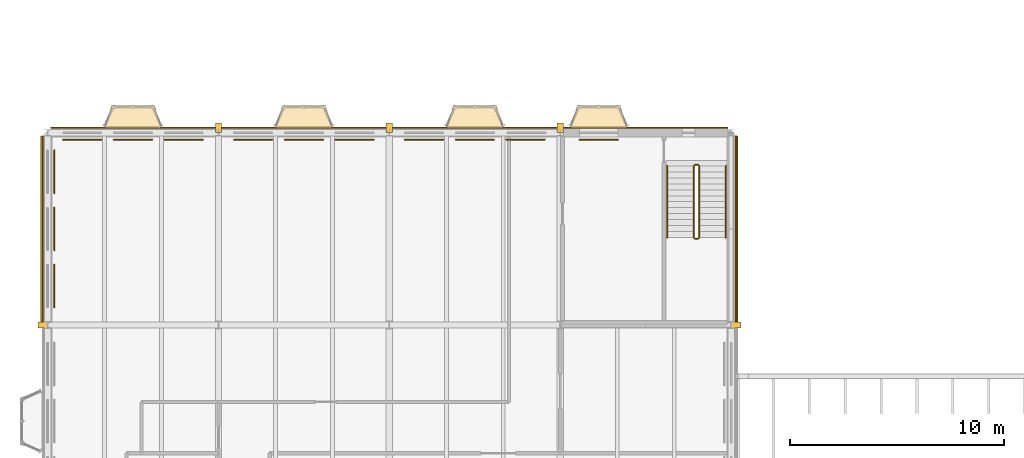
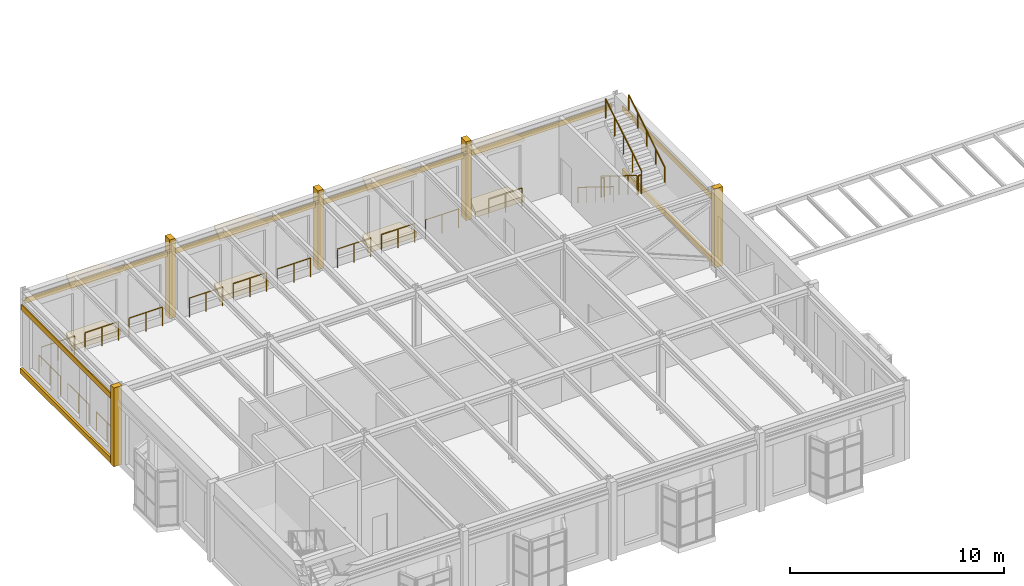
# One storey, part 143 of 153: 21 coverings, 19 railings.
"""IFC4 building model written with IfcOpenShell, lengths in metres."""

from ifc_helpers import new_model, si_unit, direction, frame, origin, origin_2d, place, context, subcontext, project, spatial, polyline, rectangle, circle, outline, extrude, material, layer, layer_set, type_object, element, save


model = new_model("IFC4")

# Units and contexts
model_context = context("Model", 3, precision=1e-05, world=origin(), true_north=direction((0.0, 1.0)))
body_context = subcontext(model_context, "Body", "Model", "MODEL_VIEW")
ifc_project = project(units=[si_unit("LENGTHUNIT", "METRE"), si_unit("AREAUNIT", "SQUARE_METRE"), si_unit("VOLUMEUNIT", "CUBIC_METRE"), si_unit("PLANEANGLEUNIT", "RADIAN"), si_unit("MASSUNIT", "GRAM", prefix="KILO")], contexts=[model_context])

# Site, building, storey
site_placement = place(None, origin())
site = spatial("IfcSite", under=ifc_project, at=site_placement, CompositionType="ELEMENT")
building_placement = place(site_placement, origin())
building = spatial("IfcBuilding", under=site, at=building_placement, Name="Kallimachos Central Library", CompositionType="ELEMENT")
storey_placement = place(building_placement, frame((0.0, 0.0, 5.39990234375)))
storey = spatial("IfcBuildingStorey", under=building, at=storey_placement, Name="L01", CompositionType="ELEMENT", Elevation=5.39990234375)

# Railings
ifc_material_1 = material(Name="Steel S355J2", Category="steel")
railing_type_1 = type_object("IfcRailingType", Name="Stair guard 1100", PredefinedType="GUARDRAIL", material=ifc_material_1)
railing_1_placement = place(storey_placement, frame((36.25, 112.449951171875, 0.173095703125)))
element("IfcRailing", 1, at=railing_1_placement, inside=storey, type_object=railing_type_1, Name="L01 ST6 stair guard 1", PredefinedType="GUARDRAIL", context=body_context, shape_type="SweptSolid", body=[
    extrude(circle(Radius=0.02392578125, at=origin_2d()), frame((0.0, 0.0, 1.076171875), z_axis=(0.0, -0.850606129759, 0.525803396734), x_axis=(1.0, 0.0, 0.0)), (0.0, 0.0, 1.0), 3.949951171875),
    extrude(circle(Radius=0.02099609375, at=origin_2d()), origin(), (0.0, 0.0, 1.0), 1.052001953125),
    extrude(circle(Radius=0.02099609375, at=origin_2d()), frame((0.0, -0.83984375, 0.519287109375)), (0.0, 0.0, 1.0), 1.052001953125),
    extrude(circle(Radius=0.02099609375, at=origin_2d()), frame((0.0, -1.679931640625, 1.03857421875)), (0.0, 0.0, 1.0), 1.052001953125),
    extrude(circle(Radius=0.02099609375, at=origin_2d()), frame((0.0, -2.52001953125, 1.5576171875)), (0.0, 0.0, 1.0), 1.052001953125),
    extrude(circle(Radius=0.02099609375, at=origin_2d()), frame((0.0, -3.35986328125, 2.076904296875)), (0.0, 0.0, 1.0), 1.052001953125),
])
railing_2_placement = place(storey_placement, frame((36.300048828125, 109.0400390625, 2.25)))
element("IfcRailing", 2, at=railing_2_placement, inside=storey, type_object=railing_type_1, Name="L01 ST6 stair guard 2", PredefinedType="GUARDRAIL", context=body_context, shape_type="SweptSolid", body=[
    extrude(circle(Radius=0.02392578125, at=origin_2d()), frame((0.0, 0.0, 1.076171875), z_axis=(1.0, 0.0, 0.0), x_axis=(0.0, 1.0, 0.0)), (0.0, 0.0, 1.0), 0.14990234375),
    extrude(circle(Radius=0.02099609375, at=origin_2d()), origin(), (0.0, 0.0, 1.0), 1.052001953125),
    extrude(circle(Radius=0.02099609375, at=origin_2d()), frame((0.14990234375, 0.0, 0.0)), (0.0, 0.0, 1.0), 1.052001953125),
])
railing_3_placement = place(storey_placement, frame((36.5, 109.090087890625, 2.423095703125)))
element("IfcRailing", 3, at=railing_3_placement, inside=storey, type_object=railing_type_1, Name="L01 ST6 stair guard 3", PredefinedType="GUARDRAIL", context=body_context, shape_type="SweptSolid", body=[
    extrude(circle(Radius=0.02392578125, at=origin_2d()), frame((0.0, 0.0, 1.076171875), z_axis=(0.0, 0.850606129759, 0.525803396734), x_axis=(-1.0, 0.0, 0.0)), (0.0, 0.0, 1.0), 3.949951171875),
    extrude(circle(Radius=0.02099609375, at=origin_2d()), origin(), (0.0, 0.0, 1.0), 1.052001953125),
    extrude(circle(Radius=0.02099609375, at=origin_2d()), frame((0.0, 0.83984375, 0.519287109375)), (0.0, 0.0, 1.0), 1.052001953125),
    extrude(circle(Radius=0.02099609375, at=origin_2d()), frame((0.0, 1.679931640625, 1.03857421875)), (0.0, 0.0, 1.0), 1.052001953125),
    extrude(circle(Radius=0.02099609375, at=origin_2d()), frame((0.0, 2.52001953125, 1.5576171875)), (0.0, 0.0, 1.0), 1.052001953125),
    extrude(circle(Radius=0.02099609375, at=origin_2d()), frame((0.0, 3.35986328125, 2.076904296875)), (0.0, 0.0, 1.0), 1.052001953125),
])
railing_4_placement = place(storey_placement, frame((36.300048828125, 112.5, 0.0)))
element("IfcRailing", 4, at=railing_4_placement, inside=storey, type_object=railing_type_1, Name="L01 ST6 stair guard 4", PredefinedType="GUARDRAIL", context=body_context, shape_type="SweptSolid", body=[
    extrude(circle(Radius=0.02392578125, at=origin_2d()), frame((0.0, 0.0, 1.076171875), z_axis=(1.0, 0.0, 0.0), x_axis=(0.0, 1.0, 0.0)), (0.0, 0.0, 1.0), 0.14990234375),
    extrude(circle(Radius=0.02099609375, at=origin_2d()), origin(), (0.0, 0.0, 1.0), 1.052001953125),
    extrude(circle(Radius=0.02099609375, at=origin_2d()), frame((0.14990234375, 0.0, 0.0)), (0.0, 0.0, 1.0), 1.052001953125),
])
ifc_material_2 = material(Name="Steel S355J2", Category="steel")
railing_type_2 = type_object("IfcRailingType", Name="Stair handrail 900", PredefinedType="HANDRAIL", material=ifc_material_2)
railing_5_placement = place(storey_placement, frame((35.0, 112.449951171875, 0.173095703125)))
element("IfcRailing", 5, at=railing_5_placement, inside=storey, type_object=railing_type_2, Name="L01 ST6 stair handrail 1", PredefinedType="HANDRAIL", context=body_context, shape_type="SweptSolid", body=[
    extrude(circle(Radius=0.02392578125, at=origin_2d()), frame((0.0, 0.0, 0.8759765625), z_axis=(0.0, -0.850606129759, 0.525803396734), x_axis=(1.0, 0.0, 0.0)), (0.0, 0.0, 1.0), 3.949951171875),
    extrude(circle(Radius=0.02099609375, at=origin_2d()), origin(), (0.0, 0.0, 1.0), 0.851806640625),
    extrude(circle(Radius=0.02099609375, at=origin_2d()), frame((0.0, -0.83984375, 0.519287109375)), (0.0, 0.0, 1.0), 0.851806640625),
    extrude(circle(Radius=0.02099609375, at=origin_2d()), frame((0.0, -1.679931640625, 1.03857421875)), (0.0, 0.0, 1.0), 0.851806640625),
    extrude(circle(Radius=0.02099609375, at=origin_2d()), frame((0.0, -2.52001953125, 1.5576171875)), (0.0, 0.0, 1.0), 0.851806640625),
    extrude(circle(Radius=0.02099609375, at=origin_2d()), frame((0.0, -3.35986328125, 2.076904296875)), (0.0, 0.0, 1.0), 0.851806640625),
])
railing_6_placement = place(storey_placement, frame((37.75, 109.090087890625, 2.423095703125)))
element("IfcRailing", 6, at=railing_6_placement, inside=storey, type_object=railing_type_2, Name="L01 ST6 stair handrail 2", PredefinedType="HANDRAIL", context=body_context, shape_type="SweptSolid", body=[
    extrude(circle(Radius=0.02392578125, at=origin_2d()), frame((0.0, 0.0, 0.8759765625), z_axis=(0.0, 0.850606129759, 0.525803396734), x_axis=(-1.0, 0.0, 0.0)), (0.0, 0.0, 1.0), 3.949951171875),
    extrude(circle(Radius=0.02099609375, at=origin_2d()), origin(), (0.0, 0.0, 1.0), 0.851806640625),
    extrude(circle(Radius=0.02099609375, at=origin_2d()), frame((0.0, 0.83984375, 0.519287109375)), (0.0, 0.0, 1.0), 0.851806640625),
    extrude(circle(Radius=0.02099609375, at=origin_2d()), frame((0.0, 1.679931640625, 1.03857421875)), (0.0, 0.0, 1.0), 0.851806640625),
    extrude(circle(Radius=0.02099609375, at=origin_2d()), frame((0.0, 2.52001953125, 1.5576171875)), (0.0, 0.0, 1.0), 0.851806640625),
    extrude(circle(Radius=0.02099609375, at=origin_2d()), frame((0.0, 3.35986328125, 2.076904296875)), (0.0, 0.0, 1.0), 0.851806640625),
])

# Coverings
ifc_material_3 = material(Name="Pentelic marble pilaster", Category="masonry")
ifc_layer_1 = layer(ifc_material_3, 0.25)
ifc_layer_set_1 = layer_set([ifc_layer_1], Name="Stone pilaster 250")
covering_type_1 = type_object("IfcCoveringType", Name="Stone pilaster 250", PredefinedType="CLADDING", material=ifc_layer_set_1)
for number, where, z_axis, x_axis, name in (
    (7, (14.0, 114.22509765625, 0.0), (0.0, 0.0, 1.0), (1.0, 0.0, 0.0), "Stone pilaster 250 -L01-009"),
    (8, (22.0, 114.22509765625, 0.0), (0.0, 0.0, 1.0), (1.0, 0.0, 0.0), "Stone pilaster 250 -L01-010"),
    (9, (30.0, 114.22509765625, 0.0), (0.0, 0.0, 1.0), (1.0, 0.0, 0.0), "Stone pilaster 250 -L01-011"),
):
    element("IfcCovering", number, at=place(storey_placement, frame(where, z_axis=z_axis, x_axis=x_axis)), inside=storey, type_object=covering_type_1, Name=name, PredefinedType="CLADDING", context=body_context, shape_type="SweptSolid", body=[
        extrude(rectangle(XDim=0.300048828125, YDim=0.449951171875, at=origin_2d()), origin(), (0.0, 0.0, 1.0), 4.5),
    ])
for number, where, z_axis, x_axis, name in (
    (10, (5.77490234375, 105.0, 0.0), (0.0, 0.0, 1.0), (1.0, 0.0, 0.0), "Stone pilaster 250 -L01-014"),
    (11, (38.22509765625, 105.0, 0.0), (0.0, 0.0, 1.0), (1.0, 0.0, 0.0), "Stone pilaster 250 -L01-017"),
):
    element("IfcCovering", number, at=place(storey_placement, frame(where, z_axis=z_axis, x_axis=x_axis)), inside=storey, type_object=covering_type_1, Name=name, PredefinedType="CLADDING", context=body_context, shape_type="SweptSolid", body=[
        extrude(rectangle(XDim=0.449951171875, YDim=0.300048828125, at=origin_2d()), origin(), (0.0, 0.0, 1.0), 4.5),
    ])
ifc_material_4 = material(Name="Pentelic marble string course", Category="masonry")
ifc_layer_2 = layer(ifc_material_4, 0.1201171875)
ifc_layer_set_2 = layer_set([ifc_layer_2], Name="Stone string course 300")
covering_type_2 = type_object("IfcCoveringType", Name="Stone string course 300", PredefinedType="MOLDING", material=ifc_layer_set_2)
for number, where, z_axis, x_axis, name in (
    (12, (5.739990234375, 109.5, -0.14990234375), (0.0, 0.0, 1.0), (1.0, 0.0, 0.0), "Stone string course 300 -L01-015"),
    (13, (38.260009765625, 109.5, -0.14990234375), (0.0, 0.0, 1.0), (1.0, 0.0, 0.0), "Stone string course 300 -L01-018"),
):
    element("IfcCovering", number, at=place(storey_placement, frame(where, z_axis=z_axis, x_axis=x_axis)), inside=storey, type_object=covering_type_2, Name=name, PredefinedType="MOLDING", context=body_context, shape_type="SweptSolid", body=[
        extrude(rectangle(XDim=0.1201171875, YDim=8.699951171875, at=origin_2d()), origin(), (0.0, 0.0, 1.0), 0.300048828125),
    ])
ifc_material_5 = material(Name="Lead-coated copper sheet")
ifc_layer_3 = layer(ifc_material_5, 0.14990234375)
ifc_layer_set_3 = layer_set([ifc_layer_3], Name="Tribune bay roof cap 150")
covering_type_3 = type_object("IfcCoveringType", Name="Tribune bay roof cap 150", PredefinedType="ROOFING", material=ifc_layer_set_3)
covering_1_placement = place(storey_placement, frame((0.0, 0.0, 3.300048828125)))
element("IfcCovering", 14, at=covering_1_placement, inside=storey, type_object=covering_type_3, Name="Tribune bay roof cap", PredefinedType="ROOFING", context=body_context, shape_type="SweptSolid", body=[
    extrude(outline(polyline([(8.675048828125, 114.199951171875), (11.324951171875, 114.199951171875), (11.0048828125, 115.280029296875), (8.9951171875, 115.280029296875), (8.675048828125, 114.199951171875)])), origin(), (0.0, 0.0, 1.0), 0.150146484375),
])
covering_2_placement = place(storey_placement, frame((0.0, 0.0, 3.300048828125)))
element("IfcCovering", 15, at=covering_2_placement, inside=storey, type_object=covering_type_3, Name="Tribune bay roof cap", PredefinedType="ROOFING", context=body_context, shape_type="SweptSolid", body=[
    extrude(outline(polyline([(16.675048828125, 114.199951171875), (19.324951171875, 114.199951171875), (19.0048828125, 115.280029296875), (16.9951171875, 115.280029296875), (16.675048828125, 114.199951171875)])), origin(), (0.0, 0.0, 1.0), 0.150146484375),
])
covering_3_placement = place(storey_placement, frame((0.0, 0.0, 3.300048828125)))
element("IfcCovering", 16, at=covering_3_placement, inside=storey, type_object=covering_type_3, Name="Tribune bay roof cap", PredefinedType="ROOFING", context=body_context, shape_type="SweptSolid", body=[
    extrude(outline(polyline([(24.675048828125, 114.199951171875), (27.324951171875, 114.199951171875), (27.0048828125, 115.280029296875), (24.9951171875, 115.280029296875), (24.675048828125, 114.199951171875)])), origin(), (0.0, 0.0, 1.0), 0.150146484375),
])
covering_4_placement = place(storey_placement, frame((0.0, 0.0, 3.300048828125)))
element("IfcCovering", 17, at=covering_4_placement, inside=storey, type_object=covering_type_3, Name="Tribune bay roof cap", PredefinedType="ROOFING", context=body_context, shape_type="SweptSolid", body=[
    extrude(outline(polyline([(30.47509765625, 114.199951171875), (33.125, 114.199951171875), (32.804931640625, 115.280029296875), (30.794921875, 115.280029296875), (30.47509765625, 114.199951171875)])), origin(), (0.0, 0.0, 1.0), 0.150146484375),
])
ifc_material_6 = material(Name="Pentelic marble tribune base", Category="masonry")
ifc_layer_4 = layer(ifc_material_6, 0.300048828125)
ifc_layer_set_4 = layer_set([ifc_layer_4], Name="Tribune bay stone base 300")
covering_type_4 = type_object("IfcCoveringType", Name="Tribune bay stone base 300", PredefinedType="MOLDING", material=ifc_layer_set_4)
covering_5_placement = place(storey_placement, frame((0.0, 0.0, -0.14990234375)))
element("IfcCovering", 18, at=covering_5_placement, inside=storey, type_object=covering_type_4, Name="Tribune bay base", PredefinedType="MOLDING", context=body_context, shape_type="SweptSolid", body=[
    extrude(outline(polyline([(8.675048828125, 114.199951171875), (11.324951171875, 114.199951171875), (11.0048828125, 115.280029296875), (8.9951171875, 115.280029296875), (8.675048828125, 114.199951171875)])), origin(), (0.0, 0.0, 1.0), 0.300048828125),
])
covering_6_placement = place(storey_placement, frame((0.0, 0.0, -0.14990234375)))
element("IfcCovering", 19, at=covering_6_placement, inside=storey, type_object=covering_type_4, Name="Tribune bay base", PredefinedType="MOLDING", context=body_context, shape_type="SweptSolid", body=[
    extrude(outline(polyline([(16.675048828125, 114.199951171875), (19.324951171875, 114.199951171875), (19.0048828125, 115.280029296875), (16.9951171875, 115.280029296875), (16.675048828125, 114.199951171875)])), origin(), (0.0, 0.0, 1.0), 0.300048828125),
])
covering_7_placement = place(storey_placement, frame((0.0, 0.0, -0.14990234375)))
element("IfcCovering", 20, at=covering_7_placement, inside=storey, type_object=covering_type_4, Name="Tribune bay base", PredefinedType="MOLDING", context=body_context, shape_type="SweptSolid", body=[
    extrude(outline(polyline([(24.675048828125, 114.199951171875), (27.324951171875, 114.199951171875), (27.0048828125, 115.280029296875), (24.9951171875, 115.280029296875), (24.675048828125, 114.199951171875)])), origin(), (0.0, 0.0, 1.0), 0.300048828125),
])
covering_8_placement = place(storey_placement, frame((0.0, 0.0, -0.14990234375)))
element("IfcCovering", 21, at=covering_8_placement, inside=storey, type_object=covering_type_4, Name="Tribune bay base", PredefinedType="MOLDING", context=body_context, shape_type="SweptSolid", body=[
    extrude(outline(polyline([(30.47509765625, 114.199951171875), (33.125, 114.199951171875), (32.804931640625, 115.280029296875), (30.794921875, 115.280029296875), (30.47509765625, 114.199951171875)])), origin(), (0.0, 0.0, 1.0), 0.300048828125),
])

# Railings
ifc_material_7 = material(Name="Wrought iron")
railing_type_3 = type_object("IfcRailingType", Name="Window guard 1100", PredefinedType="GUARDRAIL", material=ifc_material_7)
for number, where, name in (
    (22, (6.72509765625, 113.679931640625, 0.0), "Window guard"),
    (23, (9.10009765625, 113.679931640625, 0.0), "Window guard"),
    (24, (11.47509765625, 113.679931640625, 0.0), "Window guard"),
    (25, (14.72509765625, 113.679931640625, 0.0), "Window guard"),
    (26, (17.10009765625, 113.679931640625, 0.0), "Window guard"),
    (27, (19.47509765625, 113.679931640625, 0.0), "Window guard"),
    (28, (22.72509765625, 113.679931640625, 0.0), "Window guard"),
    (29, (25.10009765625, 113.679931640625, 0.0), "Window guard"),
    (30, (27.47509765625, 113.679931640625, 0.0), "Window guard"),
):
    element("IfcRailing", number, at=place(storey_placement, frame(where)), inside=storey, type_object=railing_type_3, Name=name, PredefinedType="GUARDRAIL", context=body_context, shape_type="SweptSolid", body=[
        extrude(circle(Radius=0.02392578125, at=origin_2d()), frame((0.0, 0.0, 1.076171875), z_axis=(1.0, 0.0, 0.0), x_axis=(0.0, 1.0, 0.0)), (0.0, 0.0, 1.0), 1.7998046875),
        extrude(circle(Radius=0.02099609375, at=origin_2d()), origin(), (0.0, 0.0, 1.0), 1.052001953125),
        extrude(circle(Radius=0.02099609375, at=origin_2d()), frame((0.89990234375, 0.0, 0.0)), (0.0, 0.0, 1.0), 1.052001953125),
        extrude(circle(Radius=0.02099609375, at=origin_2d()), frame((1.7998046875, 0.0, 0.0)), (0.0, 0.0, 1.0), 1.052001953125),
    ])
railing_7_placement = place(storey_placement, frame((30.89990234375, 113.679931640625, 0.0)))
element("IfcRailing", 31, at=railing_7_placement, inside=storey, type_object=railing_type_3, Name="Window guard", PredefinedType="GUARDRAIL", context=body_context, shape_type="SweptSolid", body=[
    extrude(circle(Radius=0.02392578125, at=origin_2d()), frame((0.0, 0.0, 1.076171875), z_axis=(1.0, 0.0, 0.0), x_axis=(0.0, 1.0, 0.0)), (0.0, 0.0, 1.0), 1.800048828125),
    extrude(circle(Radius=0.02099609375, at=origin_2d()), origin(), (0.0, 0.0, 1.0), 1.052001953125),
    extrude(circle(Radius=0.02099609375, at=origin_2d()), frame((0.89990234375, 0.0, 0.0)), (0.0, 0.0, 1.0), 1.052001953125),
    extrude(circle(Radius=0.02099609375, at=origin_2d()), frame((1.800048828125, 0.0, 0.0)), (0.0, 0.0, 1.0), 1.052001953125),
])
for number, where, name in (
    (32, (6.320068359375, 105.824951171875, 0.0), "Window guard"),
    (33, (6.320068359375, 108.5, 0.0), "Window guard"),
    (34, (6.320068359375, 111.175048828125, 0.0), "Window guard"),
):
    element("IfcRailing", number, at=place(storey_placement, frame(where)), inside=storey, type_object=railing_type_3, Name=name, PredefinedType="GUARDRAIL", context=body_context, shape_type="SweptSolid", body=[
        extrude(circle(Radius=0.02392578125, at=origin_2d()), frame((0.0, 0.0, 1.076171875), z_axis=(0.0, 1.0, 0.0), x_axis=(-1.0, 0.0, 0.0)), (0.0, 0.0, 1.0), 2.0),
        extrude(circle(Radius=0.02099609375, at=origin_2d()), origin(), (0.0, 0.0, 1.0), 1.052001953125),
        extrude(circle(Radius=0.02099609375, at=origin_2d()), frame((0.0, 1.0, 0.0)), (0.0, 0.0, 1.0), 1.052001953125),
        extrude(circle(Radius=0.02099609375, at=origin_2d()), frame((0.0, 2.0, 0.0)), (0.0, 0.0, 1.0), 1.052001953125),
    ])

# Coverings
ifc_material_8 = material(Name="Pentelic marble", Category="masonry")
ifc_layer_5 = layer(ifc_material_8, 0.06005859375)
ifc_layer_set_5 = layer_set([ifc_layer_5], Name="Window head band")
covering_type_5 = type_object("IfcCoveringType", Name="Window head band", PredefinedType="MOLDING", material=ifc_layer_set_5)
for number, where, z_axis, x_axis, name in (
    (35, (10.0, 114.22998046875, 3.4501953125), (0.0, 0.0, 1.0), (1.0, 0.0, 0.0), "head band N6"),
    (36, (18.0, 114.22998046875, 3.4501953125), (0.0, 0.0, 1.0), (1.0, 0.0, 0.0), "head band N14"),
    (37, (26.0, 114.22998046875, 3.4501953125), (0.0, 0.0, 1.0), (1.0, 0.0, 0.0), "head band N22"),
    (38, (34.0, 114.22998046875, 3.4501953125), (0.0, 0.0, 1.0), (1.0, 0.0, 0.0), "head band N30"),
):
    element("IfcCovering", number, at=place(storey_placement, frame(where, z_axis=z_axis, x_axis=x_axis)), inside=storey, type_object=covering_type_5, Name=name, PredefinedType="MOLDING", context=body_context, shape_type="SweptSolid", body=[
        extrude(rectangle(XDim=7.699951171875, YDim=0.06005859375, at=origin_2d()), origin(), (0.0, 0.0, 1.0), 0.300048828125),
    ])
for number, where, z_axis, x_axis, name in (
    (39, (5.77001953125, 109.5, 3.4501953125), (0.0, 0.0, 1.0), (1.0, 0.0, 0.0), "head band W105"),
    (40, (38.22998046875, 109.5, 3.4501953125), (0.0, 0.0, 1.0), (1.0, 0.0, 0.0), "head band E105"),
):
    element("IfcCovering", number, at=place(storey_placement, frame(where, z_axis=z_axis, x_axis=x_axis)), inside=storey, type_object=covering_type_5, Name=name, PredefinedType="MOLDING", context=body_context, shape_type="SweptSolid", body=[
        extrude(rectangle(XDim=0.06005859375, YDim=8.699951171875, at=origin_2d()), origin(), (0.0, 0.0, 1.0), 0.300048828125),
    ])

save(model, "model.ifc")
